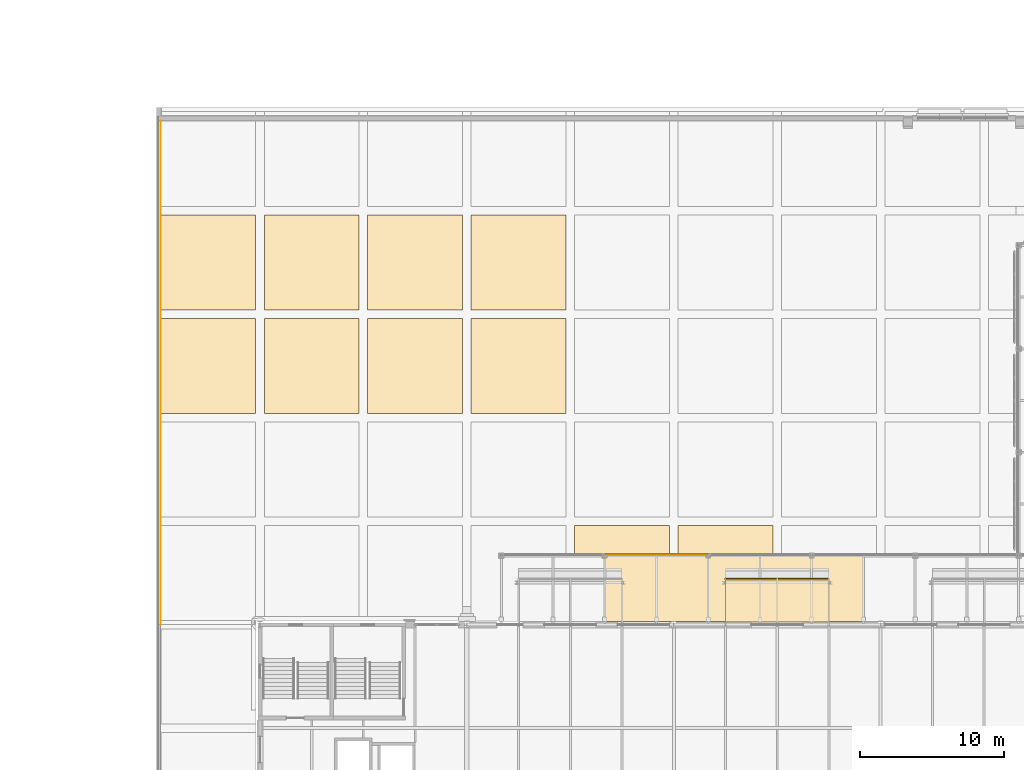
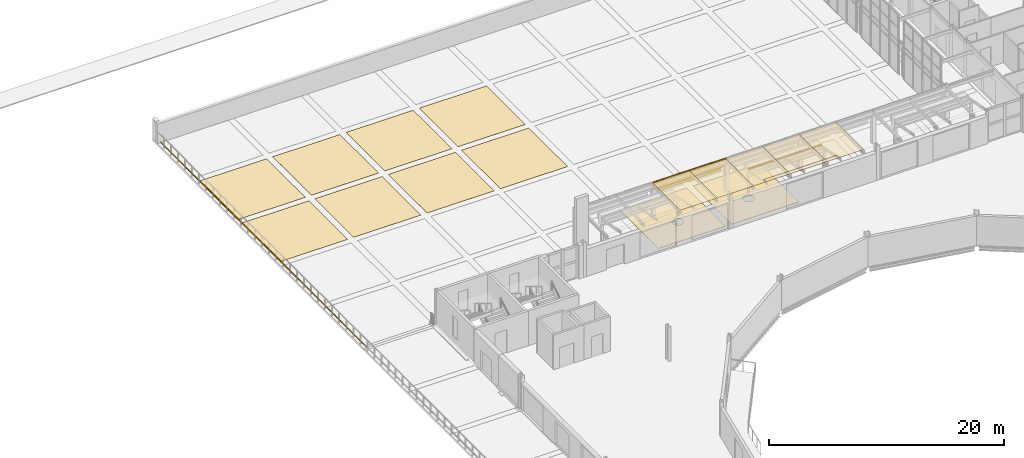
# One storey, part 113 of 143: 22 coverings.
"""IFC4 building model written with IfcOpenShell, lengths in metres."""

from ifc_helpers import new_model, si_unit, direction, frame, origin, origin_2d, place, context, subcontext, project, spatial, polyline, rectangle, outline, extrude, material, layer, layer_set, type_object, element, save


model = new_model("IFC4")

# Units and contexts
model_context = context("Model", 3, precision=1e-05, world=origin(), true_north=direction((0.0, 1.0)))
body_context = subcontext(model_context, "Body", "Model", "MODEL_VIEW")
ifc_project = project(units=[si_unit("LENGTHUNIT", "METRE"), si_unit("AREAUNIT", "SQUARE_METRE"), si_unit("VOLUMEUNIT", "CUBIC_METRE"), si_unit("PLANEANGLEUNIT", "RADIAN"), si_unit("MASSUNIT", "GRAM", prefix="KILO")], contexts=[model_context])

# Site, building, storey
site_placement = place(None, origin())
site = spatial("IfcSite", under=ifc_project, at=site_placement, CompositionType="ELEMENT")
building_placement = place(site_placement, origin())
building = spatial("IfcBuilding", under=site, at=building_placement, Name="Kupolbacken Congress Centre", CompositionType="ELEMENT")
storey_placement = place(building_placement, frame((0.0, 0.0, 7.199951171875)))
storey = spatial("IfcBuildingStorey", under=building, at=storey_placement, Name="L02", CompositionType="ELEMENT", Elevation=7.199951171875)

# Coverings
ifc_material_1 = material(Name="Limestone cladding", Category="masonry")
ifc_layer_1 = layer(ifc_material_1, 0.1201171875)
ifc_layer_set_1 = layer_set([ifc_layer_1], Name="Limestone cladding")
covering_type_1 = type_object("IfcCoveringType", Name="CV1 limestone cladding band 120", PredefinedType="CLADDING", material=ifc_layer_set_1)
covering_1_placement = place(storey_placement, frame((34.800048828125, 127.330078125, 2.5703125), z_axis=(0.0, 0.0, 1.0), x_axis=(1.0, 0.0, 0.0)))
element("IfcCovering", 1, at=covering_1_placement, inside=storey, type_object=covering_type_1, Name="E/T/portico/P/fascia31.2", PredefinedType="CLADDING", context=body_context, shape_type="SweptSolid", body=[
    extrude(rectangle(XDim=7.199951171875, YDim=0.080078125, at=origin_2d()), origin(), (0.0, 0.0, 1.0), 0.699951171875),
])
covering_2_placement = place(storey_placement, frame((34.800048828125, 127.330078125, 2.27001953125), z_axis=(0.0, 0.0, 1.0), x_axis=(1.0, 0.0, 0.0)))
element("IfcCovering", 2, at=covering_2_placement, inside=storey, type_object=covering_type_1, Name="E/T/portico/P/hood31.2", PredefinedType="CLADDING", context=body_context, shape_type="SweptSolid", body=[
    extrude(rectangle(XDim=6.199951171875, YDim=0.080078125, at=origin_2d()), origin(), (0.0, 0.0, 1.0), 0.300048828125),
])
ifc_material_2 = material(Name="Glass", Category="glass")
ifc_layer_2 = layer(ifc_material_2, 0.0439453125)
ifc_layer_set_2 = layer_set([ifc_layer_2], Name="Glass")
covering_type_2 = type_object("IfcCoveringType", Name="GC1 glazed canopy roof 44", PredefinedType="ROOFING", material=ifc_layer_set_2)
covering_3_placement = place(storey_placement, frame((46.800048828125, 122.510009765625, 3.4111328125), z_axis=(0.0, 0.190941843771, 0.981601351006), x_axis=(0.0, 0.981601351006, -0.190941843771)))
element("IfcCovering", 3, at=covering_3_placement, inside=storey, type_object=covering_type_2, Name="Pitched canopy glass", PredefinedType="ROOFING", context=body_context, shape_type="SweptSolid", body=[
    extrude(outline(polyline([(0.0, 0.0), (3.1684017332356906, 0.0), (3.1684017332356906, 7.199951171875), (0.0, 7.199951171875), (0.0, 0.0)])), origin(), (0.0, 0.0, -1.0), 0.035888671875),
])
for number, where, z_axis, x_axis, name in (
    (4, (33.0, 124.955078125, 3.27001953125), (0.0, 0.0, 1.0), (1.0, 0.0, 0.0), "Portico glass"),
    (5, (36.60009765625, 124.955078125, 3.27001953125), (0.0, 0.0, 1.0), (1.0, 0.0, 0.0), "Portico glass"),
    (6, (40.199951171875, 124.955078125, 3.27001953125), (0.0, 0.0, 1.0), (1.0, 0.0, 0.0), "Portico glass"),
    (7, (43.800048828125, 124.955078125, 3.27001953125), (0.0, 0.0, 1.0), (1.0, 0.0, 0.0), "Portico glass"),
    (8, (47.39990234375, 124.955078125, 3.27001953125), (0.0, 0.0, 1.0), (1.0, 0.0, 0.0), "Portico glass"),
):
    element("IfcCovering", number, at=place(storey_placement, frame(where, z_axis=z_axis, x_axis=x_axis)), inside=storey, type_object=covering_type_2, Name=name, PredefinedType="ROOFING", context=body_context, shape_type="SweptSolid", body=[
        extrude(rectangle(XDim=3.60009765625, YDim=4.669921875, at=origin_2d()), origin(), (0.0, 0.0, 1.0), 0.0439453125),
    ])
ifc_material_3 = material(Name="Limestone cladding", Category="masonry")
ifc_layer_3 = layer(ifc_material_3, 0.02001953125)
ifc_layer_set_3 = layer_set([ifc_layer_3], Name="Limestone cladding")
covering_type_3 = type_object("IfcCoveringType", Name="GF1 limestone paving 20", PredefinedType="FLOORING", material=ifc_layer_set_3)
covering_4_placement = place(storey_placement, origin())
element("IfcCovering", 9, at=covering_4_placement, inside=storey, type_object=covering_type_3, Name="Forecourt limestone paving", PredefinedType="FLOORING", context=body_context, shape_type="SweptSolid", body=[
    extrude(outline(polyline([(36.37109375, 122.70458984375), (36.33935546875, 122.739501953125), (36.304443359375, 122.77099609375), (36.2666015625, 122.799072265625), (36.300048828125, 122.7744140625), (36.300048828125, 129.300048828125), (42.89990234375, 129.300048828125), (42.89990234375, 122.699951171875), (36.37451171875, 122.699951171875), (36.3916015625, 122.677001953125), (36.37109375, 122.70458984375)]), holes=[polyline([(39.95068359375, 125.226318359375), (39.957763671875, 125.27294921875), (39.9599609375, 125.320068359375), (39.957763671875, 125.3671875), (39.95068359375, 125.413818359375), (39.939453125, 125.459228515625), (39.923583984375, 125.503662109375), (39.9033203125, 125.54638671875), (39.879150390625, 125.586669921875), (39.85107421875, 125.62451171875), (39.8193359375, 125.659423828125), (39.784423828125, 125.691162109375), (39.74658203125, 125.718994140625), (39.706298828125, 125.743408203125), (39.663818359375, 125.763427734375), (39.619384765625, 125.779296875), (39.57373046875, 125.790771484375), (39.527099609375, 125.797607421875), (39.47998046875, 125.800048828125), (39.432861328125, 125.797607421875), (39.38623046875, 125.790771484375), (39.3408203125, 125.779296875), (39.29638671875, 125.763427734375), (39.253662109375, 125.743408203125), (39.21337890625, 125.718994140625), (39.175537109375, 125.691162109375), (39.140625, 125.659423828125), (39.10888671875, 125.62451171875), (39.080810546875, 125.586669921875), (39.056640625, 125.54638671875), (39.03662109375, 125.503662109375), (39.0205078125, 125.459228515625), (39.00927734375, 125.413818359375), (39.002197265625, 125.3671875), (39.0, 125.320068359375), (39.002197265625, 125.27294921875), (39.00927734375, 125.226318359375), (39.0205078125, 125.1806640625), (39.03662109375, 125.13623046875), (39.056640625, 125.09375), (39.080810546875, 125.05322265625), (39.10888671875, 125.015380859375), (39.140625, 124.980712890625), (39.175537109375, 124.948974609375), (39.21337890625, 124.9208984375), (39.253662109375, 124.896484375), (39.29638671875, 124.87646484375), (39.3408203125, 124.860595703125), (39.38623046875, 124.84912109375), (39.432861328125, 124.84228515625), (39.47998046875, 124.840087890625), (39.527099609375, 124.84228515625), (39.57373046875, 124.84912109375), (39.619384765625, 124.860595703125), (39.663818359375, 124.87646484375), (39.706298828125, 124.896484375), (39.74658203125, 124.9208984375), (39.784423828125, 124.948974609375), (39.8193359375, 124.980712890625), (39.85107421875, 125.015380859375), (39.879150390625, 125.05322265625), (39.9033203125, 125.09375), (39.923583984375, 125.13623046875), (39.939453125, 125.1806640625), (39.95068359375, 125.226318359375)])]), origin(), (0.0, 0.0, 1.0), 0.02001953125),
])
covering_5_placement = place(storey_placement, origin())
element("IfcCovering", 10, at=covering_5_placement, inside=storey, type_object=covering_type_3, Name="Forecourt limestone paving", PredefinedType="FLOORING", context=body_context, shape_type="SweptSolid", body=[
    extrude(outline(polyline([(35.695556640625, 122.77099609375), (35.66064453125, 122.739501953125), (35.62890625, 122.70458984375), (35.6083984375, 122.677001953125), (35.62548828125, 122.699951171875), (29.10009765625, 122.699951171875), (29.10009765625, 129.300048828125), (35.699951171875, 129.300048828125), (35.699951171875, 122.7744140625), (35.7333984375, 122.799072265625), (35.695556640625, 122.77099609375)]), holes=[polyline([(32.99072265625, 125.226318359375), (32.997802734375, 125.27294921875), (33.0, 125.320068359375), (32.997802734375, 125.3671875), (32.99072265625, 125.413818359375), (32.9794921875, 125.459228515625), (32.96337890625, 125.503662109375), (32.943359375, 125.54638671875), (32.919189453125, 125.586669921875), (32.89111328125, 125.62451171875), (32.859375, 125.659423828125), (32.824462890625, 125.691162109375), (32.78662109375, 125.718994140625), (32.746337890625, 125.743408203125), (32.70361328125, 125.763427734375), (32.6591796875, 125.779296875), (32.61376953125, 125.790771484375), (32.567138671875, 125.797607421875), (32.52001953125, 125.800048828125), (32.472900390625, 125.797607421875), (32.42626953125, 125.790771484375), (32.380615234375, 125.779296875), (32.336181640625, 125.763427734375), (32.293701171875, 125.743408203125), (32.25341796875, 125.718994140625), (32.215576171875, 125.691162109375), (32.1806640625, 125.659423828125), (32.14892578125, 125.62451171875), (32.120849609375, 125.586669921875), (32.0966796875, 125.54638671875), (32.076416015625, 125.503662109375), (32.060546875, 125.459228515625), (32.04931640625, 125.413818359375), (32.042236328125, 125.3671875), (32.0400390625, 125.320068359375), (32.042236328125, 125.27294921875), (32.04931640625, 125.226318359375), (32.060546875, 125.1806640625), (32.076416015625, 125.13623046875), (32.0966796875, 125.09375), (32.120849609375, 125.05322265625), (32.14892578125, 125.015380859375), (32.1806640625, 124.980712890625), (32.215576171875, 124.948974609375), (32.25341796875, 124.9208984375), (32.293701171875, 124.896484375), (32.336181640625, 124.87646484375), (32.380615234375, 124.860595703125), (32.42626953125, 124.84912109375), (32.472900390625, 124.84228515625), (32.52001953125, 124.840087890625), (32.567138671875, 124.84228515625), (32.61376953125, 124.84912109375), (32.6591796875, 124.860595703125), (32.70361328125, 124.87646484375), (32.746337890625, 124.896484375), (32.78662109375, 124.9208984375), (32.824462890625, 124.948974609375), (32.859375, 124.980712890625), (32.89111328125, 125.015380859375), (32.919189453125, 125.05322265625), (32.943359375, 125.09375), (32.96337890625, 125.13623046875), (32.9794921875, 125.1806640625), (32.99072265625, 125.226318359375)])]), origin(), (0.0, 0.0, 1.0), 0.02001953125),
])
covering_6_placement = place(storey_placement, origin())
element("IfcCovering", 11, at=covering_6_placement, inside=storey, type_object=covering_type_3, Name="Forecourt limestone paving", PredefinedType="FLOORING", context=body_context, shape_type="SweptSolid", body=[
    extrude(outline(polyline([(0.301025390625, 143.699951171875), (6.89990234375, 143.699951171875), (6.89990234375, 137.10009765625), (0.301025390625, 137.10009765625), (0.301025390625, 143.699951171875)])), origin(), (0.0, 0.0, 1.0), 0.02001953125),
])
covering_7_placement = place(storey_placement, origin())
element("IfcCovering", 12, at=covering_7_placement, inside=storey, type_object=covering_type_3, Name="Forecourt limestone paving", PredefinedType="FLOORING", context=body_context, shape_type="SweptSolid", body=[
    extrude(outline(polyline([(0.301025390625, 150.89990234375), (6.89990234375, 150.89990234375), (6.89990234375, 144.300048828125), (0.301025390625, 144.300048828125), (0.301025390625, 150.89990234375)])), origin(), (0.0, 0.0, 1.0), 0.02001953125),
])
covering_8_placement = place(storey_placement, origin())
element("IfcCovering", 13, at=covering_8_placement, inside=storey, type_object=covering_type_3, Name="Forecourt limestone paving", PredefinedType="FLOORING", context=body_context, shape_type="SweptSolid", body=[
    extrude(outline(polyline([(7.5, 144.300048828125), (7.5, 150.89990234375), (14.10009765625, 150.89990234375), (14.10009765625, 144.300048828125), (7.5, 144.300048828125)])), origin(), (0.0, 0.0, 1.0), 0.02001953125),
])
covering_9_placement = place(storey_placement, origin())
element("IfcCovering", 14, at=covering_9_placement, inside=storey, type_object=covering_type_3, Name="Forecourt limestone paving", PredefinedType="FLOORING", context=body_context, shape_type="SweptSolid", body=[
    extrude(outline(polyline([(7.5, 137.10009765625), (7.5, 143.699951171875), (14.10009765625, 143.699951171875), (14.10009765625, 137.10009765625), (7.5, 137.10009765625)])), origin(), (0.0, 0.0, 1.0), 0.02001953125),
])
covering_10_placement = place(storey_placement, origin())
element("IfcCovering", 15, at=covering_10_placement, inside=storey, type_object=covering_type_3, Name="Forecourt limestone paving", PredefinedType="FLOORING", context=body_context, shape_type="SweptSolid", body=[
    extrude(outline(polyline([(14.699951171875, 144.300048828125), (14.699951171875, 150.89990234375), (21.300048828125, 150.89990234375), (21.300048828125, 144.300048828125), (14.699951171875, 144.300048828125)])), origin(), (0.0, 0.0, 1.0), 0.02001953125),
])
covering_11_placement = place(storey_placement, origin())
element("IfcCovering", 16, at=covering_11_placement, inside=storey, type_object=covering_type_3, Name="Forecourt limestone paving", PredefinedType="FLOORING", context=body_context, shape_type="SweptSolid", body=[
    extrude(outline(polyline([(14.699951171875, 137.10009765625), (14.699951171875, 143.699951171875), (21.300048828125, 143.699951171875), (21.300048828125, 137.10009765625), (14.699951171875, 137.10009765625)])), origin(), (0.0, 0.0, 1.0), 0.02001953125),
])
covering_12_placement = place(storey_placement, origin())
element("IfcCovering", 17, at=covering_12_placement, inside=storey, type_object=covering_type_3, Name="Forecourt limestone paving", PredefinedType="FLOORING", context=body_context, shape_type="SweptSolid", body=[
    extrude(outline(polyline([(21.89990234375, 144.300048828125), (21.89990234375, 150.89990234375), (28.5, 150.89990234375), (28.5, 144.300048828125), (21.89990234375, 144.300048828125)])), origin(), (0.0, 0.0, 1.0), 0.02001953125),
])
covering_13_placement = place(storey_placement, origin())
element("IfcCovering", 18, at=covering_13_placement, inside=storey, type_object=covering_type_3, Name="Forecourt limestone paving", PredefinedType="FLOORING", context=body_context, shape_type="SweptSolid", body=[
    extrude(outline(polyline([(21.89990234375, 137.10009765625), (21.89990234375, 143.699951171875), (28.5, 143.699951171875), (28.5, 137.10009765625), (21.89990234375, 137.10009765625)])), origin(), (0.0, 0.0, 1.0), 0.02001953125),
])
ifc_material_4 = material(Name="Granite setts", Category="masonry")
ifc_layer_4 = layer(ifc_material_4, 0.10009765625)
ifc_layer_set_4 = layer_set([ifc_layer_4], Name="Granite setts")
covering_type_4 = type_object("IfcCoveringType", Name="GR3 granite sett paving 100", PredefinedType="FLOORING", material=ifc_layer_set_4)
covering_14_placement = place(storey_placement, origin())
element("IfcCovering", 19, at=covering_14_placement, inside=storey, type_object=covering_type_4, Name="Granite kerb edging", PredefinedType="FLOORING", context=body_context, shape_type="SweptSolid", body=[
    extrude(outline(polyline([(0.281005859375, 122.402099609375), (0.281005859375, 157.469970703125), (0.301025390625, 157.469970703125), (0.301025390625, 122.402099609375), (0.281005859375, 122.402099609375)])), origin(), (0.0, 0.0, 1.0), 0.10009765625),
])
ifc_material_5 = material(Name="Steel S355", Category="steel")
ifc_layer_5 = layer(ifc_material_5, 0.06005859375)
ifc_layer_set_5 = layer_set([ifc_layer_5], Name="Steel S355")
covering_type_5 = type_object("IfcCoveringType", Name="SG1 snow guard bar 60 x 100", PredefinedType="CLADDING", material=ifc_layer_set_5)
covering_15_placement = place(storey_placement, frame((43.199951171875, 125.570068359375, 2.815673828125), z_axis=(0.0, 0.0, 1.0), x_axis=(-1.0, 0.0, 0.0)))
element("IfcCovering", 20, at=covering_15_placement, inside=storey, type_object=covering_type_5, Name="Snow guard", PredefinedType="CLADDING", context=body_context, shape_type="SweptSolid", body=[
    extrude(rectangle(XDim=7.199951171875, YDim=0.10009765625, at=origin_2d()), origin(), (0.0, 0.0, 1.0), 0.10009765625),
])
for number, where, z_axis, x_axis, name in (
    (21, (33.0, 127.260009765625, 3.31396484375), (0.0, 0.0, 1.0), (1.0, 0.0, 0.0), "Snow guard"),
    (22, (36.60009765625, 127.260009765625, 3.31396484375), (0.0, 0.0, 1.0), (1.0, 0.0, 0.0), "Snow guard"),
):
    element("IfcCovering", number, at=place(storey_placement, frame(where, z_axis=z_axis, x_axis=x_axis)), inside=storey, type_object=covering_type_5, Name=name, PredefinedType="CLADDING", context=body_context, shape_type="SweptSolid", body=[
        extrude(rectangle(XDim=3.60009765625, YDim=0.06005859375, at=origin_2d()), origin(), (0.0, 0.0, 1.0), 0.10009765625),
    ])

save(model, "model.ifc")
